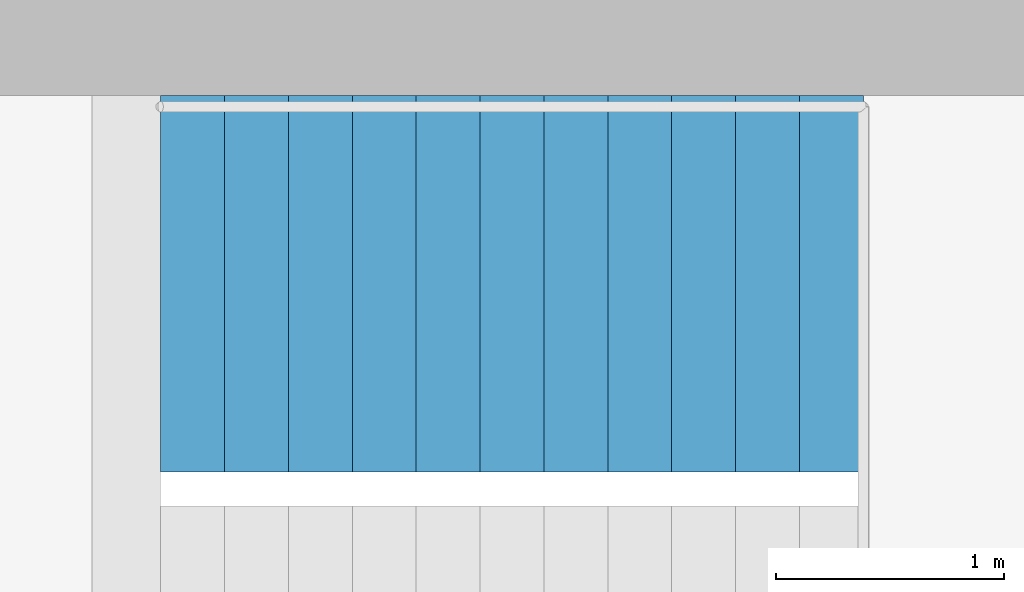
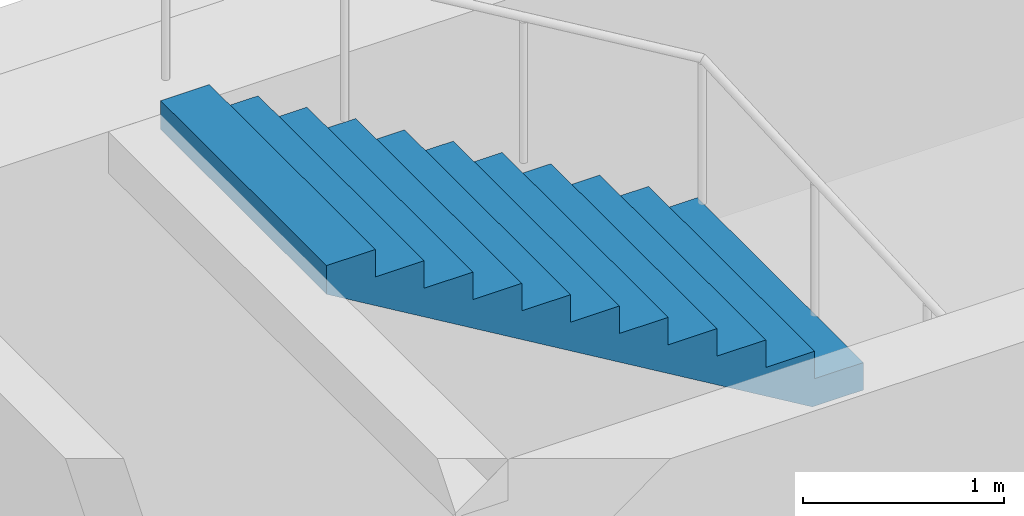
# One storey, part 11 of 12: 1 stair flight, 1 element without a shape of its own.
"""IFC4 building model written with IfcOpenShell, lengths in metres."""

from ifc_helpers import new_model, si_unit, direction, frame, origin, place, context, subcontext, project, spatial, polyline, outline, extrude, material, type_object, element, aggregate, save


model = new_model("IFC4")

# Units and contexts
model_context = context("Model", 3, precision=1e-05, world=origin(), true_north=direction((0.0, 1.0)))
body_context = subcontext(model_context, "Body", "Model", "MODEL_VIEW")
ifc_project = project(units=[si_unit("LENGTHUNIT", "METRE"), si_unit("AREAUNIT", "SQUARE_METRE"), si_unit("VOLUMEUNIT", "CUBIC_METRE"), si_unit("PLANEANGLEUNIT", "RADIAN"), si_unit("MASSUNIT", "GRAM", prefix="KILO")], contexts=[model_context])

# Site, building, storey
site_placement = place(None, origin())
site = spatial("IfcSite", under=ifc_project, at=site_placement, CompositionType="ELEMENT")
building_placement = place(site_placement, origin())
building = spatial("IfcBuilding", under=site, at=building_placement, Name="Baori Bourse Tower", CompositionType="ELEMENT")
storey_placement = place(building_placement, frame((0.0, 0.0, 362.300048828125)))
storey = spatial("IfcBuildingStorey", under=building, at=storey_placement, Name="L81", CompositionType="ELEMENT", Elevation=362.300048828125)

# Stair, stair flight
ifc_material_1 = material(Name="Concrete f'c 50 MPa", Category="concrete")
stair_type = type_object("IfcStairType", Name="Core stair", PredefinedType="HALF_TURN_STAIR", material=ifc_material_1)
stair_placement = place(storey_placement, origin())
stair = element("IfcStair", 1, at=stair_placement, inside=storey, type_object=stair_type, Name="L81 Stair EB", PredefinedType="HALF_TURN_STAIR")
ifc_material_2 = material(Name="Concrete f'c 50 MPa", Category="concrete")
stair_flight_type = type_object("IfcStairFlightType", Name="Core stair flight", PredefinedType="STRAIGHT", material=ifc_material_2)
stair_flight_placement = place(storey_placement, frame((48.830078125, 36.375, 2.0), z_axis=(0.0, 0.0, 1.0), x_axis=(-1.0, 0.0, 0.0)))
stair_flight = element("IfcStairFlight", 2, at=stair_flight_placement, type_object=stair_flight_type, Name="ST4 flight 2", NumberOfRisers=12, NumberOfTreads=11, PredefinedType="STRAIGHT", RiserHeight=0.166666667, TreadLength=0.28, context=body_context, shape_type="SweptSolid", body=[
    extrude(outline(polyline([(0.0, 0.0), (0.0, 0.166748046875), (0.280029296875, 0.166748046875), (0.280029296875, 0.333251953125), (0.56005859375, 0.333251953125), (0.56005859375, 0.5), (0.840087890625, 0.5), (0.840087890625, 0.666748046875), (1.1201171875, 0.666748046875), (1.1201171875, 0.833251953125), (1.39990234375, 0.833251953125), (1.39990234375, 1.0), (1.679931640625, 1.0), (1.679931640625, 1.166748046875), (1.9599609375, 1.166748046875), (1.9599609375, 1.333251953125), (2.239990234375, 1.333251953125), (2.239990234375, 1.5), (2.52001953125, 1.5), (2.52001953125, 1.666748046875), (2.800048828125, 1.666748046875), (2.800048828125, 1.833251953125), (3.080078125, 1.833251953125), (3.080078125, 2.0), (3.080078125, 1.658935546875), (0.29296875, 0.0), (0.0, 0.0)])), frame((0.0, 0.824951171875, 0.0), z_axis=(0.0, -1.0, 0.0), x_axis=(1.0, 0.0, 0.0)), (0.0, 0.0, 1.0), 1.64990234375),
])
aggregate(stair, [stair_flight])

save(model, "model.ifc")
